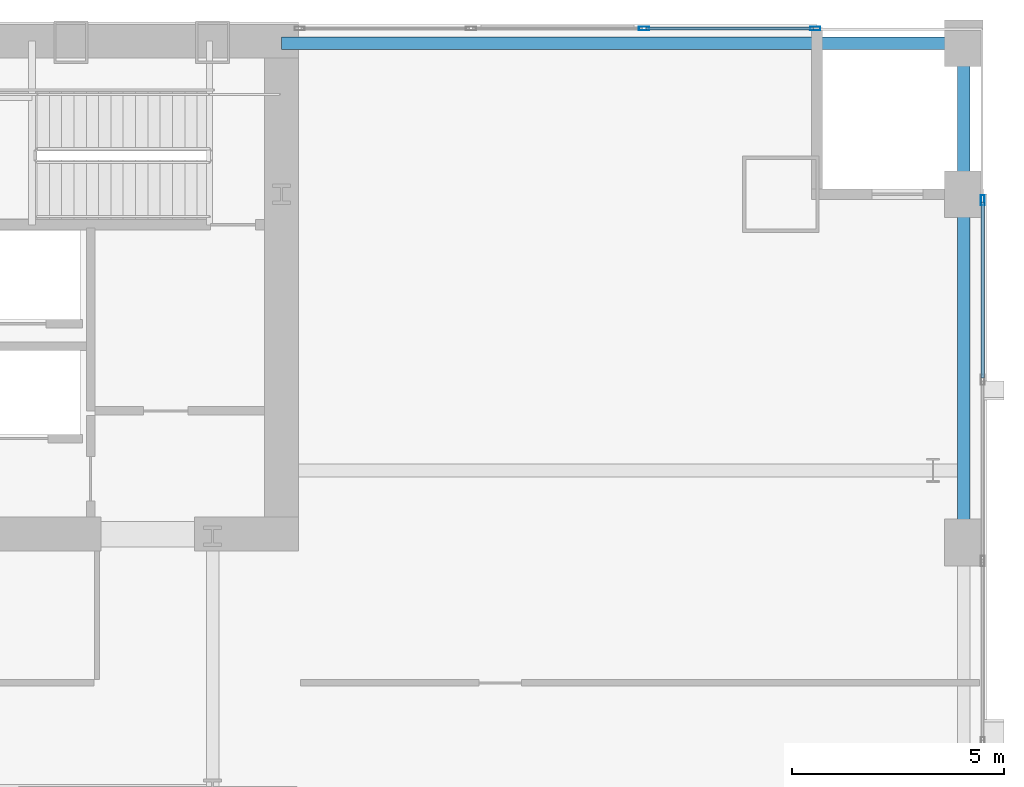
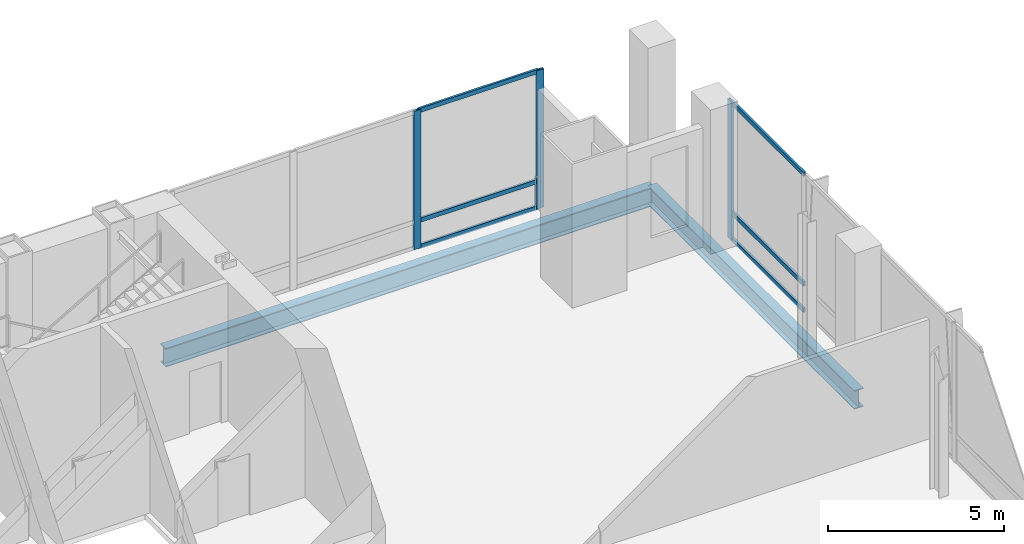
# One storey, part 18 of 26: 9 members, 2 beams, 2 elements without a shape of their own.
"""IFC4 building model written with IfcOpenShell, lengths in metres."""

from ifc_helpers import new_model, si_unit, direction, frame, origin, origin_2d, place, context, subcontext, project, spatial, hollow_rectangle, i_section, extrude, material, material_profile, profile_set, type_object, element, aggregate, save


model = new_model("IFC4")

# Units and contexts
model_context = context("Model", 3, precision=1e-05, world=origin(), true_north=direction((0.0, 1.0)))
body_context = subcontext(model_context, "Body", "Model", "MODEL_VIEW")
ifc_project = project(units=[si_unit("LENGTHUNIT", "METRE"), si_unit("AREAUNIT", "SQUARE_METRE"), si_unit("VOLUMEUNIT", "CUBIC_METRE"), si_unit("PLANEANGLEUNIT", "RADIAN"), si_unit("MASSUNIT", "GRAM", prefix="KILO")], contexts=[model_context])

# Site, building, storey
site_placement = place(None, origin())
site = spatial("IfcSite", under=ifc_project, at=site_placement, CompositionType="ELEMENT")
building_placement = place(site_placement, origin())
building = spatial("IfcBuilding", under=site, at=building_placement, Name="Khoronbel Lancet Exchange", CompositionType="ELEMENT")
storey_placement = place(building_placement, frame((0.0, 0.0, 5.39990234375)))
storey = spatial("IfcBuildingStorey", under=building, at=storey_placement, Name="L01", CompositionType="ELEMENT", Elevation=5.39990234375)

# Beams
ifc_material_1 = material(Name="Steel S355", Category="steel")
ifc_material_profile_1 = material_profile(ifc_material_1, i_section(OverallWidth=0.300048828125, OverallDepth=0.64990234375, WebThickness=0.01611328125, FlangeThickness=0.031005859375, at=origin_2d()), Name="HEB 650")
ifc_profile_set_1 = profile_set([ifc_material_profile_1], Name="Steel S355")
beam_type = type_object("IfcBeamType", Name="BM-BSP1", PredefinedType="SPANDREL", material=ifc_profile_set_1)
beam_1_placement = place(storey_placement, frame((72.35009765625, 41.5, -0.52490234375), z_axis=(0.0, 1.0, 0.0), x_axis=(-1.0, 0.0, 0.0)))
element("IfcBeam", 1, at=beam_1_placement, inside=storey, type_object=beam_type, Name="Level L01 perimeter spandrel beam SP12", PredefinedType="SPANDREL", context=body_context, shape_type="SweptSolid", body=[
    extrude(i_section(OverallWidth=0.300048828125, OverallDepth=0.64990234375, WebThickness=0.01611328125, FlangeThickness=0.031005859375, at=origin_2d()), origin(), (0.0, 0.0, 1.0), 11.75),
])
beam_2_placement = place(storey_placement, frame((72.35009765625, 53.25, -0.52490234375), z_axis=(-1.0, 0.0, 0.0), x_axis=(0.0, -1.0, 0.0)))
element("IfcBeam", 2, at=beam_2_placement, inside=storey, type_object=beam_type, Name="Level L01 perimeter spandrel beam SP13", PredefinedType="SPANDREL", context=body_context, shape_type="SweptSolid", body=[
    extrude(i_section(OverallWidth=0.300048828125, OverallDepth=0.64990234375, WebThickness=0.01611328125, FlangeThickness=0.031005859375, at=origin_2d()), origin(), (0.0, 0.0, 1.0), 16.050048828125),
])

# Curtain wall, member
ifc_material_2 = material(Name="Low-E Solar Control Insulating Glass", Category="glass")
curtain_wall_type = type_object("IfcCurtainWallType", Name="CW-5", PredefinedType="NOTDEFINED", material=ifc_material_2)
curtain_wall_1_placement = place(storey_placement, origin())
curtain_wall_1 = element("IfcCurtainWall", 3, at=curtain_wall_1_placement, inside=storey, type_object=curtain_wall_type, Name="Unitised curtain wall CW-L01-EAST", PredefinedType="NOTDEFINED")
ifc_material_3 = material(Name="Bronze-Anodised Aluminium 6063-T6", Category="aluminium")
ifc_material_profile_2 = material_profile(ifc_material_3, hollow_rectangle(XDim=0.0849609375, YDim=0.239990234375, WallThickness=0.006103515625, at=origin_2d()), Name="ALU MULLION 85x240")
ifc_profile_set_2 = profile_set([ifc_material_profile_2], Name="Bronze-Anodised Aluminium 6063-T6")
member_type_1 = type_object("IfcMemberType", Name="MEM-CWM1", PredefinedType="MULLION", material=ifc_profile_set_2)
member_1_placement = place(storey_placement, frame((72.800048828125, 49.5576171875, 0.0), z_axis=(0.0, 0.0, 1.0), x_axis=(-1.0, 0.0, 0.0)))
member_1 = element("IfcMember", 4, at=member_1_placement, type_object=member_type_1, Name="CW5 mullion 10", PredefinedType="MULLION", context=body_context, shape_type="SweptSolid", body=[
    extrude(hollow_rectangle(XDim=0.0849609375, YDim=0.239990234375, WallThickness=0.006103515625, at=origin_2d()), origin(), (0.0, 0.0, 1.0), 4.800048828125),
])

# Curtain wall, members
curtain_wall_2_placement = place(storey_placement, origin())
curtain_wall_2 = element("IfcCurtainWall", 5, at=curtain_wall_2_placement, inside=storey, type_object=curtain_wall_type, Name="Unitised curtain wall CW-L01-NE", PredefinedType="NOTDEFINED")
member_2_placement = place(storey_placement, frame((64.82666015625, 53.60009765625, 0.0), z_axis=(0.0, 0.0, 1.0), x_axis=(0.0, 1.0, 0.0)))
member_2 = element("IfcMember", 6, at=member_2_placement, type_object=member_type_1, Name="CW5 mullion 3", PredefinedType="MULLION", context=body_context, shape_type="SweptSolid", body=[
    extrude(hollow_rectangle(XDim=0.0849609375, YDim=0.239990234375, WallThickness=0.006103515625, at=origin_2d()), origin(), (0.0, 0.0, 1.0), 4.800048828125),
])
member_3_placement = place(storey_placement, frame((68.857421875, 53.60009765625, 0.0), z_axis=(0.0, 0.0, 1.0), x_axis=(0.0, 1.0, 0.0)))
member_3 = element("IfcMember", 7, at=member_3_placement, type_object=member_type_1, Name="CW5 mullion 4", PredefinedType="MULLION", context=body_context, shape_type="SweptSolid", body=[
    extrude(hollow_rectangle(XDim=0.0849609375, YDim=0.239990234375, WallThickness=0.006103515625, at=origin_2d()), origin(), (0.0, 0.0, 1.0), 4.800048828125),
])

# Member
ifc_material_profile_3 = material_profile(ifc_material_3, hollow_rectangle(XDim=0.074951171875, YDim=0.14990234375, WallThickness=0.00439453125, at=origin_2d()), Name="ALU TRANSOM 75x150")
ifc_profile_set_3 = profile_set([ifc_material_profile_3], Name="Bronze-Anodised Aluminium 6063-T6")
member_type_2 = type_object("IfcMemberType", Name="MEM-CWT2", PredefinedType="USERDEFINED", material=ifc_profile_set_3)
member_4_placement = place(storey_placement, frame((72.800048828125, 45.375732421875, 0.03759765625), z_axis=(0.0, 1.0, 0.0), x_axis=(-1.0, 0.0, 0.0)))
member_4 = element("IfcMember", 8, at=member_4_placement, type_object=member_type_2, Name="CW5 transom 9.1", ObjectType="TRANSOM", PredefinedType="USERDEFINED", context=body_context, shape_type="SweptSolid", body=[
    extrude(hollow_rectangle(XDim=0.074951171875, YDim=0.14990234375, WallThickness=0.00439453125, at=origin_2d()), origin(), (0.0, 0.0, 1.0), 4.13916015625),
])

member_5_placement = place(storey_placement, frame((72.800048828125, 45.375732421875, 0.9501953125), z_axis=(0.0, 1.0, 0.0), x_axis=(-1.0, 0.0, 0.0)))
member_5 = element("IfcMember", 9, at=member_5_placement, type_object=member_type_2, Name="CW5 transom 9.2", ObjectType="TRANSOM", PredefinedType="USERDEFINED", context=body_context, shape_type="SweptSolid", body=[
    extrude(hollow_rectangle(XDim=0.074951171875, YDim=0.14990234375, WallThickness=0.00439453125, at=origin_2d()), origin(), (0.0, 0.0, 1.0), 4.13916015625),
])

member_6_placement = place(storey_placement, frame((72.800048828125, 45.375732421875, 4.7626953125), z_axis=(0.0, 1.0, 0.0), x_axis=(-1.0, 0.0, 0.0)))
member_6 = element("IfcMember", 10, at=member_6_placement, type_object=member_type_2, Name="CW5 transom 9.3", ObjectType="TRANSOM", PredefinedType="USERDEFINED", context=body_context, shape_type="SweptSolid", body=[
    extrude(hollow_rectangle(XDim=0.074951171875, YDim=0.14990234375, WallThickness=0.00439453125, at=origin_2d()), origin(), (0.0, 0.0, 1.0), 4.13916015625),
])

aggregate(curtain_wall_1, [member_1, member_4, member_5, member_6])

member_7_placement = place(storey_placement, frame((64.869140625, 53.60009765625, 0.03759765625), z_axis=(1.0, 0.0, 0.0), x_axis=(0.0, 1.0, 0.0)))
member_7 = element("IfcMember", 11, at=member_7_placement, type_object=member_type_2, Name="CW5 transom 3.1", ObjectType="TRANSOM", PredefinedType="USERDEFINED", context=body_context, shape_type="SweptSolid", body=[
    extrude(hollow_rectangle(XDim=0.074951171875, YDim=0.14990234375, WallThickness=0.00439453125, at=origin_2d()), origin(), (0.0, 0.0, 1.0), 3.94580078125),
])

member_8_placement = place(storey_placement, frame((64.869140625, 53.60009765625, 0.9501953125), z_axis=(1.0, 0.0, 0.0), x_axis=(0.0, 1.0, 0.0)))
member_8 = element("IfcMember", 12, at=member_8_placement, type_object=member_type_2, Name="CW5 transom 3.2", ObjectType="TRANSOM", PredefinedType="USERDEFINED", context=body_context, shape_type="SweptSolid", body=[
    extrude(hollow_rectangle(XDim=0.074951171875, YDim=0.14990234375, WallThickness=0.00439453125, at=origin_2d()), origin(), (0.0, 0.0, 1.0), 3.94580078125),
])

member_9_placement = place(storey_placement, frame((64.869140625, 53.60009765625, 4.7626953125), z_axis=(1.0, 0.0, 0.0), x_axis=(0.0, 1.0, 0.0)))
member_9 = element("IfcMember", 13, at=member_9_placement, type_object=member_type_2, Name="CW5 transom 3.3", ObjectType="TRANSOM", PredefinedType="USERDEFINED", context=body_context, shape_type="SweptSolid", body=[
    extrude(hollow_rectangle(XDim=0.074951171875, YDim=0.14990234375, WallThickness=0.00439453125, at=origin_2d()), origin(), (0.0, 0.0, 1.0), 3.94580078125),
])

aggregate(curtain_wall_2, [member_2, member_3, member_7, member_8, member_9])

save(model, "model.ifc")
